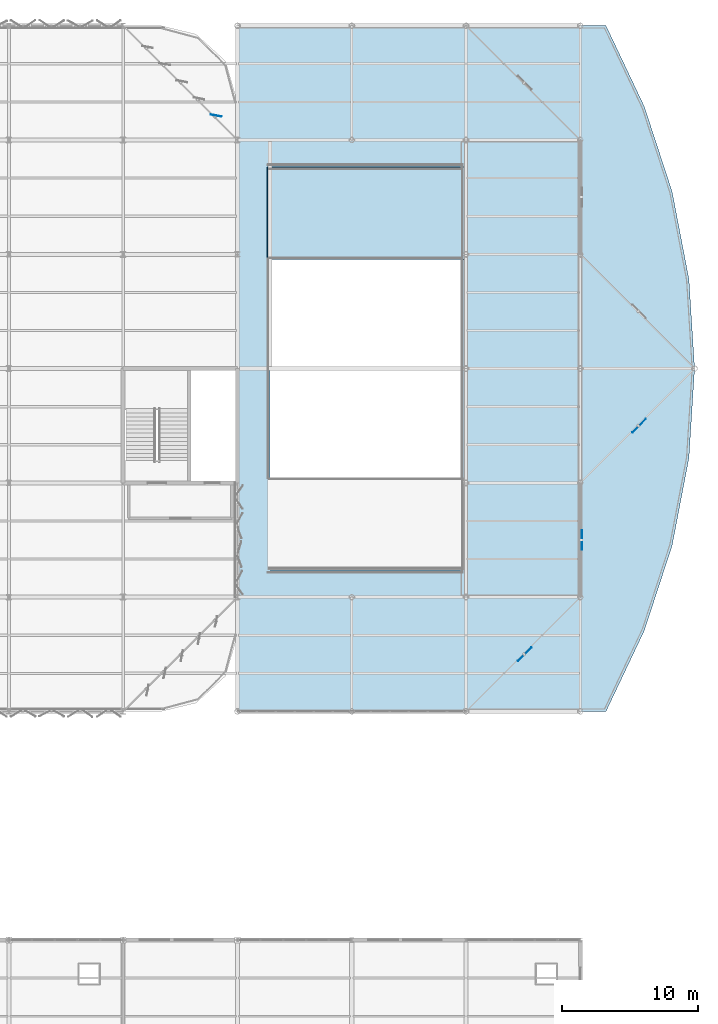
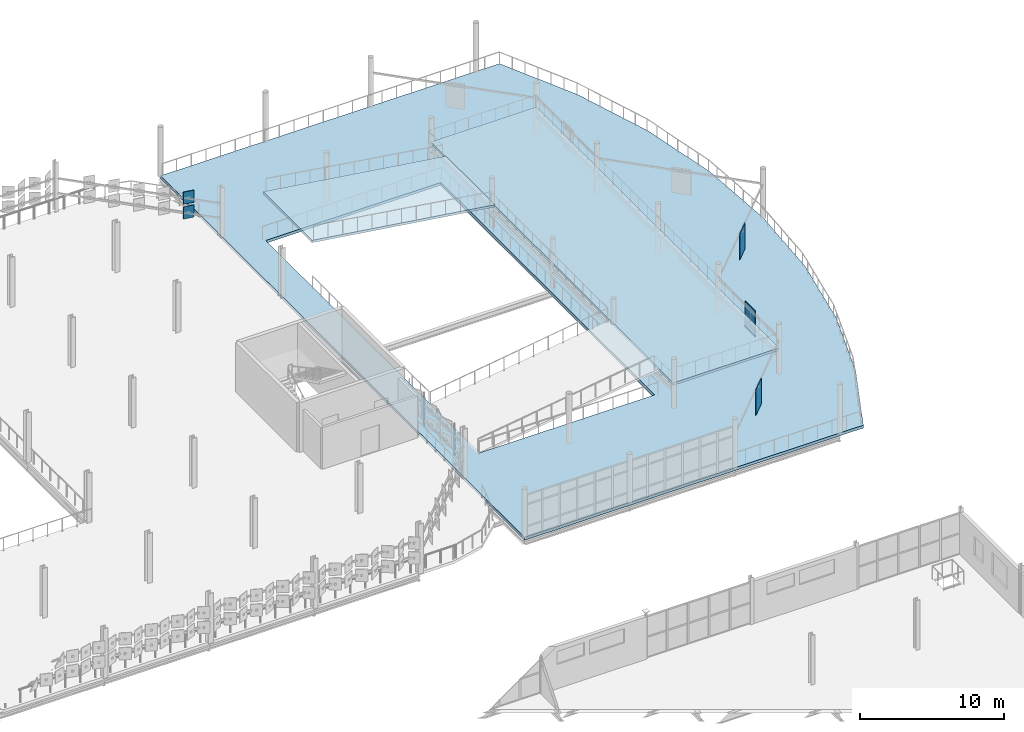
# One storey, part 127 of 163: 5 plates, 3 slabs.
"""IFC4 building model written with IfcOpenShell, lengths in metres."""

from ifc_helpers import new_model, si_unit, direction, frame, origin, origin_2d, place, context, subcontext, project, spatial, polyline, rectangle, outline, extrude, material, layer, layer_set, type_object, element, save


model = new_model("IFC4")

# Units and contexts
model_context = context("Model", 3, precision=1e-05, world=origin(), true_north=direction((0.0, 1.0)))
body_context = subcontext(model_context, "Body", "Model", "MODEL_VIEW")
ifc_project = project(units=[si_unit("LENGTHUNIT", "METRE"), si_unit("AREAUNIT", "SQUARE_METRE"), si_unit("VOLUMEUNIT", "CUBIC_METRE"), si_unit("PLANEANGLEUNIT", "RADIAN"), si_unit("MASSUNIT", "GRAM", prefix="KILO")], contexts=[model_context])

# Site, building, storey
site_placement = place(None, origin())
site = spatial("IfcSite", under=ifc_project, at=site_placement, CompositionType="ELEMENT")
building_placement = place(site_placement, origin())
building = spatial("IfcBuilding", under=site, at=building_placement, Name="Qalvenar Corner Mobility Hub", CompositionType="ELEMENT")
storey_placement = place(building_placement, frame((0.0, 0.0, 4.800048828125)))
storey = spatial("IfcBuildingStorey", under=building, at=storey_placement, Name="L01", CompositionType="ELEMENT", Elevation=4.800048828125)

# Plates
ifc_material_1 = material(Name="Perforated Bronze-Anodised Aluminium", Category="aluminium")
ifc_layer_1 = layer(ifc_material_1, 0.030029296875)
ifc_layer_set_1 = layer_set([ifc_layer_1], Name="Perforated Bronze-Anodised Aluminium")
plate_type_1 = type_object("IfcPlateType", Name="PLT-SCR-ROT", PredefinedType="SHEET", material=ifc_layer_set_1)
for number, where, z_axis, x_axis, name in (
    (1, (163.919921875, 71.39990234375, 0.85009765625), (0.0, 0.0, 1.0), (0.707106781187, 0.707106781187, 0.0), "Rotunda Sun Screen SC1-L01-1"),
    (2, (168.1201171875, 79.800048828125, 0.85009765625), (0.0, 0.0, 1.0), (0.0, 1.0, 0.0), "Rotunda Sun Screen SC1-L01-2"),
    (3, (172.320068359375, 88.199951171875, 0.85009765625), (0.0, 0.0, 1.0), (0.707106781187, 0.707106781187, 0.0), "Rotunda Sun Screen SC1-L01-3"),
):
    element("IfcPlate", number, at=place(storey_placement, frame(where, z_axis=z_axis, x_axis=x_axis)), inside=storey, type_object=plate_type_1, Name=name, PredefinedType="SHEET", context=body_context, shape_type="SweptSolid", body=[
        extrude(rectangle(XDim=1.39990234375, YDim=0.030029296875, at=origin_2d()), origin(), (0.0, 0.0, 1.0), 2.199951171875),
    ])
ifc_material_2 = material(Name="Terracotta-Ochre Anodised Aluminium", Category="masonry")
ifc_layer_2 = layer(ifc_material_2, 0.035888671875)
ifc_layer_set_2 = layer_set([ifc_layer_2], Name="Terracotta-Ochre Anodised Aluminium")
plate_type_2 = type_object("IfcPlateType", Name="PLT-XC-L1-CRN", PredefinedType="SHEET", material=ifc_layer_set_2)
for number, where, z_axis, x_axis, name in (
    (4, (141.233154296875, 110.9931640625, 0.989990234375), (0.0, 0.0, 1.0), (-0.981627183448, 0.190808995377, 0.0), "Corner Hinged Panel FPC-L01-0341"),
    (5, (141.233154296875, 110.9931640625, 2.239990234375), (0.0, 0.0, 1.0), (-0.981627183448, 0.190808995377, 0.0), "Corner Hinged Panel FPC-L01-0346"),
):
    element("IfcPlate", number, at=place(storey_placement, frame(where, z_axis=z_axis, x_axis=x_axis)), inside=storey, type_object=plate_type_2, Name=name, PredefinedType="SHEET", context=body_context, shape_type="SweptSolid", body=[
        extrude(rectangle(XDim=0.800048828125, YDim=0.035888671875, at=origin_2d()), origin(), (0.0, 0.0, 1.0), 1.02001953125),
    ])

# Slabs
ifc_material_3 = material(Name="Concrete C35/45", Category="concrete")
ifc_layer_3 = layer(ifc_material_3, 0.239990234375)
ifc_layer_set_3 = layer_set([ifc_layer_3], Name="Concrete C35/45")
slab_type_1 = type_object("IfcSlabType", Name="SLB-COMP200", PredefinedType="FLOOR", material=ifc_layer_set_3)
slab_1_placement = place(storey_placement, frame((0.0, 0.0, -0.239990234375)))
element("IfcSlab", 6, at=slab_1_placement, inside=storey, type_object=slab_type_1, Name="Rotunda Floor Slab V2-L01", PredefinedType="FLOOR", context=body_context, shape_type="SweptSolid", body=[
    extrude(outline(polyline([(142.800048828125, 67.199951171875), (169.8857421875, 67.199951171875), (172.701416015625, 73.13916015625), (174.7451171875, 79.3857421875), (175.984619140625, 85.840576171875), (176.39990234375, 92.39990234375), (175.984619140625, 98.95947265625), (174.7451171875, 105.414306640625), (172.701416015625, 111.660888671875), (169.8857421875, 117.60009765625), (142.800048828125, 117.60009765625), (142.800048828125, 67.199951171875)]), holes=[polyline([(145.199951171875, 77.60009765625), (159.199951171875, 77.60009765625), (159.199951171875, 107.199951171875), (145.199951171875, 107.199951171875), (145.199951171875, 77.60009765625)])]), origin(), (0.0, 0.0, 1.0), 0.239990234375),
])
ifc_layer_4 = layer(ifc_material_3, 0.219970703125)
ifc_layer_set_4 = layer_set([ifc_layer_4], Name="Concrete C35/45")
slab_type_2 = type_object("IfcSlabType", Name="SLB-RLND220", PredefinedType="FLOOR", material=ifc_layer_set_4)
slab_2_placement = place(storey_placement, frame((0.0, 0.0, 1.8798828125)))
element("IfcSlab", 7, at=slab_2_placement, inside=storey, type_object=slab_type_2, Name="Vehicle Circulation Ramp Mid-Landing L01-L02", PredefinedType="FLOOR", context=body_context, shape_type="SweptSolid", body=[
    extrude(outline(polyline([(159.5400390625, 75.60009765625), (168.0, 75.60009765625), (168.0, 109.199951171875), (159.5400390625, 109.199951171875), (159.5400390625, 75.60009765625)])), origin(), (0.0, 0.0, 1.0), 0.219970703125),
])
ifc_material_4 = material(Name="Concrete C35/45", Category="concrete")
ifc_layer_5 = layer(ifc_material_4, 0.195068359375)
ifc_layer_set_5 = layer_set([ifc_layer_5], Name="Concrete C35/45")
slab_type_3 = type_object("IfcSlabType", Name="SLB-VRMP195", PredefinedType="FLOOR", material=ifc_layer_set_5)
slab_3_placement = place(storey_placement, frame((159.60009765625, 100.39990234375, 2.099853515625), z_axis=(0.142375980845, 0.0, 0.989812648979), x_axis=(-0.989812648979, 0.0, 0.142375980845)))
element("IfcSlab", 8, at=slab_3_placement, inside=storey, type_object=slab_type_3, Name="Vehicle Circulation Ramp Structural Slab L01-L02 Upper", PredefinedType="FLOOR", context=body_context, shape_type="SweptSolid", body=[
    extrude(outline(polyline([(0.0, 0.0), (14.750364800160826, 0.0), (14.750364800160826, -6.800048828125002), (0.0, -6.800048828125002), (0.0, 0.0)])), origin(), (0.0, 0.0, -1.0), 0.195068359375),
])

save(model, "model.ifc")
